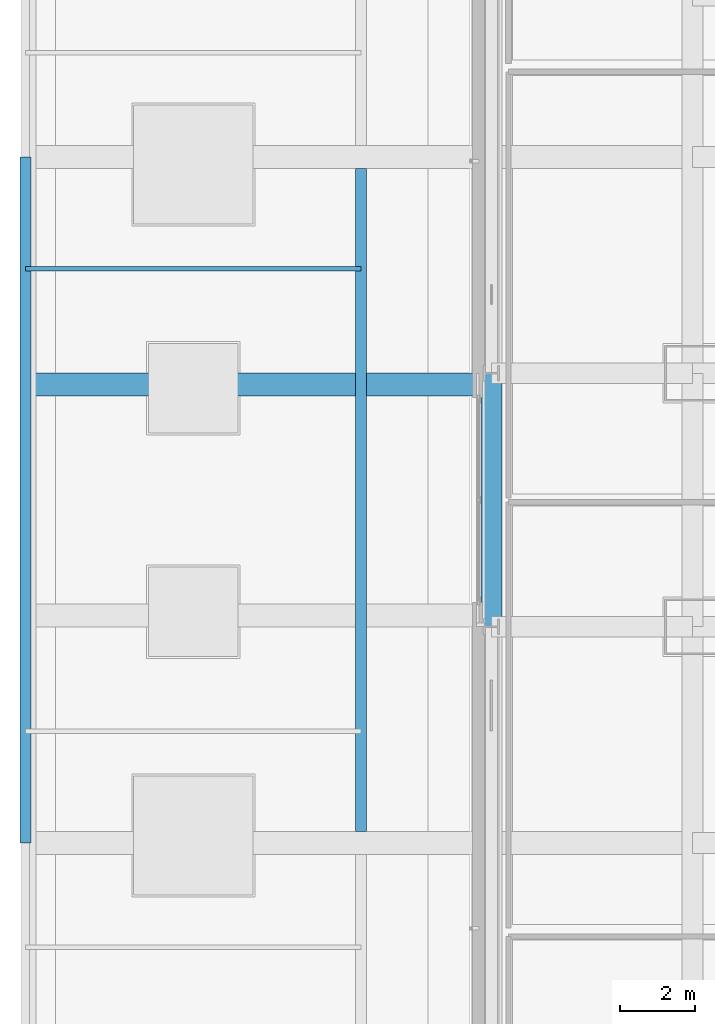
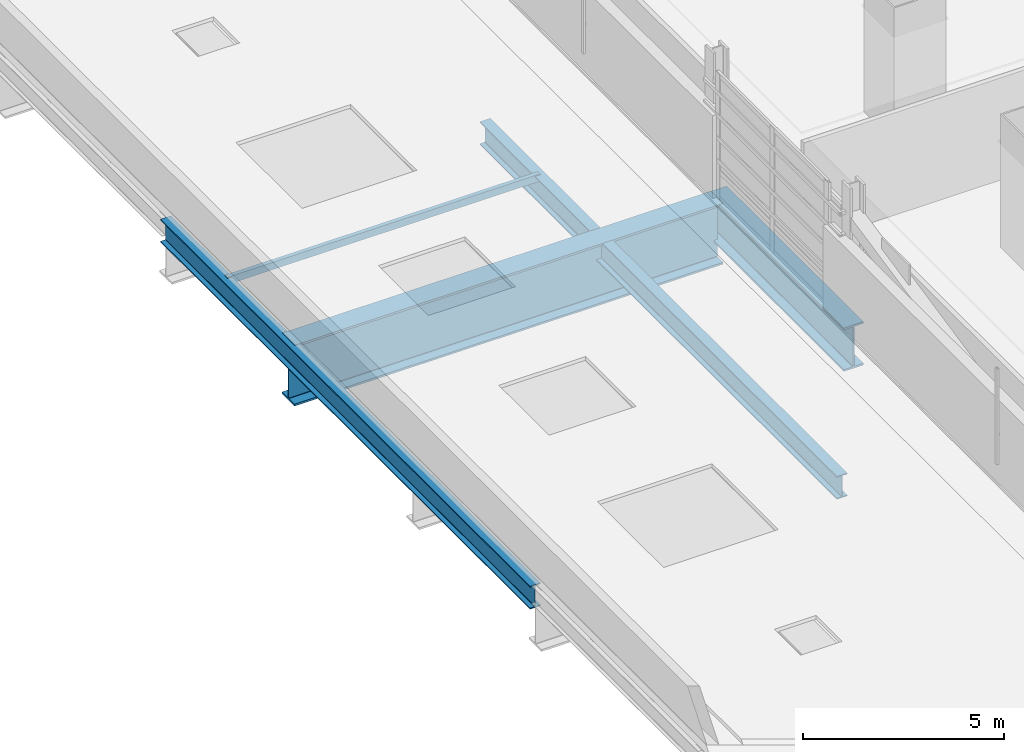
# One storey, part 3 of 30: 4 beams, 1 member.
"""IFC4 building model written with IfcOpenShell, lengths in metres."""

from ifc_helpers import new_model, si_unit, direction, frame, origin, origin_2d, place, context, subcontext, project, spatial, hollow_rectangle, i_section, extrude, material, material_profile, profile_set, type_object, element, save


model = new_model("IFC4")

# Units and contexts
model_context = context("Model", 3, precision=1e-05, world=origin(), true_north=direction((0.0, 1.0)))
body_context = subcontext(model_context, "Body", "Model", "MODEL_VIEW")
ifc_project = project(units=[si_unit("LENGTHUNIT", "METRE"), si_unit("AREAUNIT", "SQUARE_METRE"), si_unit("VOLUMEUNIT", "CUBIC_METRE"), si_unit("PLANEANGLEUNIT", "RADIAN"), si_unit("MASSUNIT", "GRAM", prefix="KILO")], contexts=[model_context])

# Site, building, storey
site_placement = place(None, origin())
site = spatial("IfcSite", under=ifc_project, at=site_placement, CompositionType="ELEMENT")
building_placement = place(site_placement, origin())
building = spatial("IfcBuilding", under=site, at=building_placement, Name="Punatoya Terracotta Tower", CompositionType="ELEMENT")
storey_placement = place(building_placement, frame((0.0, 0.0, 28.199951171875)))
storey = spatial("IfcBuildingStorey", under=building, at=storey_placement, Name="L05", CompositionType="ELEMENT", Elevation=28.199951171875)

# Beams
ifc_material_1 = material(Name="Steel S355", Category="steel")
ifc_material_profile_1 = material_profile(ifc_material_1, i_section(OverallWidth=0.300048828125, OverallDepth=0.699951171875, WebThickness=0.01708984375, FlangeThickness=0.031982421875, FilletRadius=0.01806640625, at=origin_2d()))
ifc_profile_set_1 = profile_set([ifc_material_profile_1], Name="Steel S355")
beam_type_1 = type_object("IfcBeamType", Name="BM-PRI-700", PredefinedType="BEAM", material=ifc_profile_set_1)
beam_1_placement = place(storey_placement, frame((-37.0, -9.199951171875, -0.6298828125), z_axis=(0.0, 1.0, 0.0), x_axis=(-1.0, 0.0, 0.0)))
element("IfcBeam", 1, at=beam_1_placement, inside=storey, type_object=beam_type_1, Name="BM-L05-X37W--9", PredefinedType="BEAM", context=body_context, shape_type="SweptSolid", body=[
    extrude(i_section(OverallWidth=0.300048828125, OverallDepth=0.699951171875, WebThickness=0.01708984375, FlangeThickness=0.031982421875, FilletRadius=0.01806640625, at=origin_2d()), origin(), (0.0, 0.0, 1.0), 18.39990234375),
])
beam_2_placement = place(storey_placement, frame((-28.0, -8.889892578125, -0.6298828125), z_axis=(0.0, 1.0, 0.0), x_axis=(-1.0, 0.0, 0.0)))
element("IfcBeam", 2, at=beam_2_placement, inside=storey, type_object=beam_type_1, Name="BM-L05-X28W--9", PredefinedType="BEAM", context=body_context, shape_type="SweptSolid", body=[
    extrude(i_section(OverallWidth=0.300048828125, OverallDepth=0.699951171875, WebThickness=0.01708984375, FlangeThickness=0.031982421875, FilletRadius=0.01806640625, at=origin_2d()), origin(), (0.0, 0.0, 1.0), 17.77978515625),
])
ifc_material_2 = material(Name="Steel S460", Category="steel")
ifc_material_profile_2 = material_profile(ifc_material_2, i_section(OverallWidth=0.6201171875, OverallDepth=1.85009765625, WebThickness=0.0400390625, FlangeThickness=0.06005859375, FilletRadius=0.01806640625, at=origin_2d()))
ifc_profile_set_2 = profile_set([ifc_material_profile_2], Name="Steel S460")
beam_type_2 = type_object("IfcBeamType", Name="BM-TG-AUD", PredefinedType="BEAM", material=ifc_profile_set_2)
beam_3_placement = place(storey_placement, frame((-37.0, 3.10009765625, -1.204833984375), z_axis=(1.0, 0.0, 0.0), x_axis=(0.0, 1.0, 0.0)))
element("IfcBeam", 3, at=beam_3_placement, inside=storey, type_object=beam_type_2, Name="BM-L05-AUDJ-31", PredefinedType="BEAM", context=body_context, shape_type="SweptSolid", body=[
    extrude(i_section(OverallWidth=0.6201171875, OverallDepth=1.85009765625, WebThickness=0.0400390625, FlangeThickness=0.06005859375, FilletRadius=0.01806640625, at=origin_2d()), origin(), (0.0, 0.0, 1.0), 12.320068359375),
])
ifc_material_profile_3 = material_profile(ifc_material_2, i_section(OverallWidth=0.56005859375, OverallDepth=1.320068359375, WebThickness=0.035888671875, FlangeThickness=0.054931640625, FilletRadius=0.01806640625, at=origin_2d()))
ifc_profile_set_3 = profile_set([ifc_material_profile_3], Name="Steel S460")
beam_type_3 = type_object("IfcBeamType", Name="BM-TG-BLK", PredefinedType="BEAM", material=ifc_profile_set_3)
beam_4_placement = place(storey_placement, frame((-24.5, -3.39990234375, -0.93994140625), z_axis=(0.0, 1.0, 0.0), x_axis=(-1.0, 0.0, 0.0)))
element("IfcBeam", 4, at=beam_4_placement, inside=storey, type_object=beam_type_3, Name="BM-L05-PER-W2", PredefinedType="BEAM", context=body_context, shape_type="SweptSolid", body=[
    extrude(i_section(OverallWidth=0.56005859375, OverallDepth=1.320068359375, WebThickness=0.035888671875, FlangeThickness=0.054931640625, FilletRadius=0.01806640625, at=origin_2d()), origin(), (0.0, 0.0, 1.0), 6.7998046875),
])

# Member
ifc_material_profile_4 = material_profile(ifc_material_1, hollow_rectangle(XDim=0.1201171875, YDim=0.219970703125, WallThickness=0.010009765625, at=origin_2d()))
ifc_profile_set_4 = profile_set([ifc_material_profile_4], Name="Steel S355")
member_type = type_object("IfcMemberType", Name="MEM-PRL-220", PredefinedType="PURLIN", material=ifc_profile_set_4)
member_placement = place(storey_placement, frame((-37.0, 6.199951171875, -0.35986328125), z_axis=(1.0, 0.0, 0.0), x_axis=(0.0, 1.0, 0.0)))
element("IfcMember", 5, at=member_placement, inside=storey, type_object=member_type, Name="L05 West Podium Skylight Purlin PRL-05", PredefinedType="PURLIN", context=body_context, shape_type="SweptSolid", body=[
    extrude(hollow_rectangle(XDim=0.1201171875, YDim=0.219970703125, WallThickness=0.010009765625, at=origin_2d()), origin(), (0.0, 0.0, 1.0), 9.0),
])

save(model, "model.ifc")
